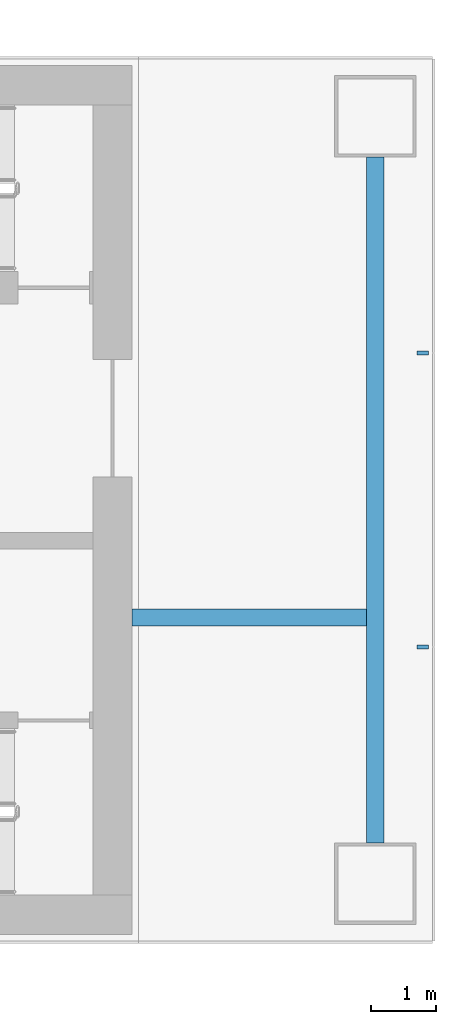
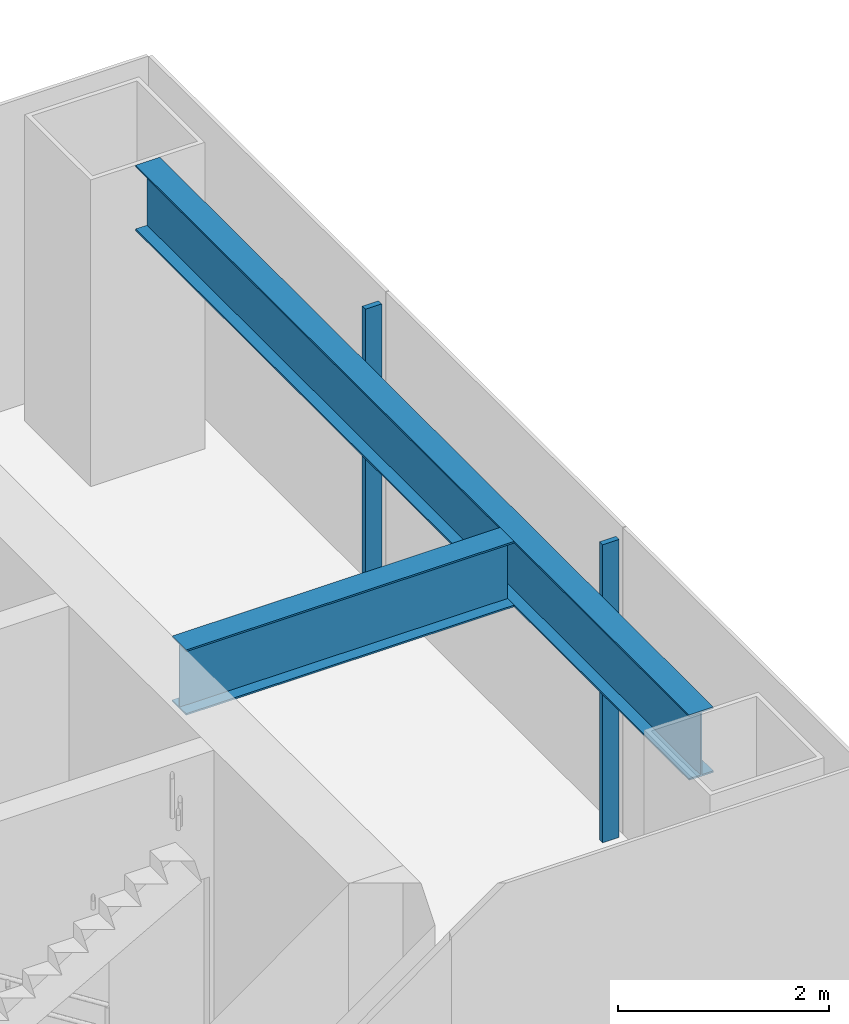
# One storey, part 6 of 19: 2 beams, 2 members, 1 element without a shape of its own.
"""IFC4 building model written with IfcOpenShell, lengths in metres."""

from ifc_helpers import new_model, si_unit, direction, frame, origin, origin_2d, place, context, subcontext, project, spatial, rectangle, i_section, extrude, material, layer, layer_set, material_profile, profile_set, type_object, element, aggregate, save


model = new_model("IFC4")

# Units and contexts
model_context = context("Model", 3, precision=1e-05, world=origin(), true_north=direction((0.0, 1.0)))
body_context = subcontext(model_context, "Body", "Model", "MODEL_VIEW")
ifc_project = project(units=[si_unit("LENGTHUNIT", "METRE"), si_unit("AREAUNIT", "SQUARE_METRE"), si_unit("VOLUMEUNIT", "CUBIC_METRE"), si_unit("PLANEANGLEUNIT", "RADIAN"), si_unit("MASSUNIT", "GRAM", prefix="KILO")], contexts=[model_context])

# Site, building, storey
site_placement = place(None, origin())
site = spatial("IfcSite", under=ifc_project, at=site_placement, CompositionType="ELEMENT")
building_placement = place(site_placement, origin())
building = spatial("IfcBuilding", under=site, at=building_placement, Name="Shamsa Quay Exchange Towers", CompositionType="ELEMENT")
storey_placement = place(building_placement, frame((0.0, 0.0, 89.699951171875)))
storey = spatial("IfcBuildingStorey", under=building, at=storey_placement, Name="L20", CompositionType="ELEMENT", Elevation=89.699951171875)

# Curtain wall, members
ifc_material_1 = material(Name="Aluminium EN AW-6063 T6, black anodised", Category="aluminium")
ifc_layer = layer(ifc_material_1, 0.280029296875)
ifc_layer_set = layer_set([ifc_layer], Name="CW-1 UNITISED VISION GLASS")
curtain_wall_type = type_object("IfcCurtainWallType", Name="CW-1 UNITISED VISION GLASS", PredefinedType="NOTDEFINED", material=ifc_layer_set)
curtain_wall_placement = place(storey_placement, origin())
curtain_wall = element("IfcCurtainWall", 1, at=curtain_wall_placement, inside=storey, type_object=curtain_wall_type, Name="CW1 T2-END-V- L20", PredefinedType="NOTDEFINED")
ifc_material_profile_1 = material_profile(ifc_material_1, rectangle(XDim=0.179931640625, YDim=0.06005859375, at=origin_2d()), Name="MU60x180")
ifc_profile_set_1 = profile_set([ifc_material_profile_1], Name="Aluminium EN AW-6063 T6, black anodised")
member_type = type_object("IfcMemberType", Name="CW1 MULLION 60x180", PredefinedType="MULLION", material=ifc_profile_set_1)
member_1_placement = place(storey_placement, frame((58.35009765625, -2.25, 0.0), z_axis=(0.0, 0.0, 1.0), x_axis=(-1.0, 0.0, 0.0)))
member_1 = element("IfcMember", 2, at=member_1_placement, type_object=member_type, Name="CW1 mullion", PredefinedType="MULLION", context=body_context, shape_type="SweptSolid", body=[
    extrude(rectangle(XDim=0.179931640625, YDim=0.06005859375, at=origin_2d()), origin(), (0.0, 0.0, 1.0), 3.449951171875),
])
member_2_placement = place(storey_placement, frame((58.35009765625, 2.25, 0.0), z_axis=(0.0, 0.0, 1.0), x_axis=(-1.0, 0.0, 0.0)))
member_2 = element("IfcMember", 3, at=member_2_placement, type_object=member_type, Name="CW1 mullion", PredefinedType="MULLION", context=body_context, shape_type="SweptSolid", body=[
    extrude(rectangle(XDim=0.179931640625, YDim=0.06005859375, at=origin_2d()), origin(), (0.0, 0.0, 1.0), 3.449951171875),
])
aggregate(curtain_wall, [member_1, member_2])

# Beams
ifc_material_2 = material(Name="Steel S355", Category="steel")
ifc_material_profile_2 = material_profile(ifc_material_2, i_section(OverallWidth=0.26611328125, OverallDepth=0.7578125, WebThickness=0.013916015625, FlangeThickness=0.019287109375, at=origin_2d()), Name="W30x108")
ifc_profile_set_2 = profile_set([ifc_material_profile_2], Name="Steel S355")
beam_type = type_object("IfcBeamType", Name="End-zone beam W30x108", PredefinedType="BEAM", material=ifc_profile_set_2)
beam_1_placement = place(storey_placement, frame((57.625, -5.25, 3.171142578125), z_axis=(0.0, 1.0, 0.0), x_axis=(-1.0, 0.0, 0.0)))
element("IfcBeam", 4, at=beam_1_placement, inside=storey, type_object=beam_type, Name="End beam T2 V- end zone L20", PredefinedType="BEAM", context=body_context, shape_type="SweptSolid", body=[
    extrude(i_section(OverallWidth=0.26611328125, OverallDepth=0.7578125, WebThickness=0.013916015625, FlangeThickness=0.019287109375, at=origin_2d()), origin(), (0.0, 0.0, 1.0), 10.5),
])
beam_2_placement = place(storey_placement, frame((53.89990234375, -1.800048828125, 3.171142578125), z_axis=(1.0, 0.0, 0.0), x_axis=(0.0, 1.0, 0.0)))
element("IfcBeam", 5, at=beam_2_placement, inside=storey, type_object=beam_type, Name="Spine beam T2 V- end zone L20", PredefinedType="BEAM", context=body_context, shape_type="SweptSolid", body=[
    extrude(i_section(OverallWidth=0.26611328125, OverallDepth=0.7578125, WebThickness=0.013916015625, FlangeThickness=0.019287109375, at=origin_2d()), origin(), (0.0, 0.0, 1.0), 3.592041015625),
])

save(model, "model.ifc")
